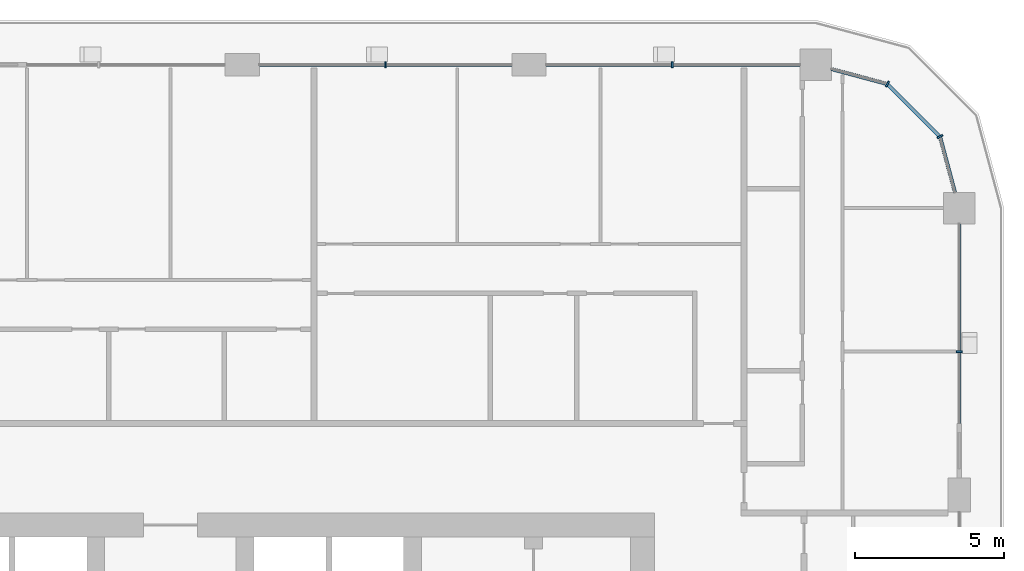
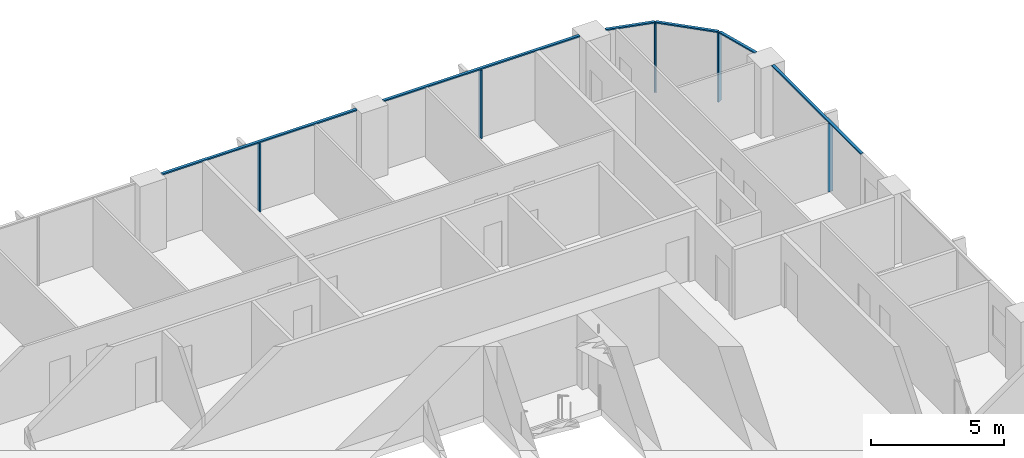
# One storey, part 6 of 22: 11 members, 4 elements without a shape of their own.
"""IFC4 building model written with IfcOpenShell, lengths in metres."""

import ifcopenshell
import ifcopenshell.guid

model = None  # the IFC model being written
_history = None  # IfcOwnerHistory: only IFC2X3 demands one
_inside = {}  # id of a spatial element -> (the spatial element, [elements in it])
_under = {}  # id of a project, library or spatial element -> (it, [spatial elements below it])
_declared = {}  # id of a project -> (the project, [libraries it declares])
_typed = {}  # id of a type object -> (the type object, [elements of that type])
_made_of = {}  # id of a material, layer set ... -> (it, [elements and type objects made of it])


def new_model(schema):
    """Start an empty IFC model of exactly this schema.

    Asked for "IFC4X3", IfcOpenShell would pick the latest addendum, in which some entities
    have other attributes; the version numbers below select the first issue.
    IFC2X3 requires an IfcOwnerHistory on every rooted entity: one is made here for all.
    """
    global model, _history
    if schema == "IFC4X3":
        model = ifcopenshell.file(schema_version=(4, 3, 0, 0))
    else:
        model = ifcopenshell.file(schema=schema)
    _inside.clear()
    _under.clear()
    _declared.clear()
    _typed.clear()
    _made_of.clear()
    _history = None
    if model.schema == "IFC2X3":
        org = make("IfcOrganization", Name="unknown")
        user = make(
            "IfcPersonAndOrganization",
            ThePerson=make("IfcPerson", FamilyName="unknown"),
            TheOrganization=org,
        )
        app = make(
            "IfcApplication",
            ApplicationDeveloper=org,
            Version="unknown",
            ApplicationFullName="unknown",
            ApplicationIdentifier="unknown",
        )
        _history = make(
            "IfcOwnerHistory",
            OwningUser=user,
            OwningApplication=app,
            ChangeAction="ADDED",
            CreationDate=0,
        )
    return model


def make(cls, **values):
    """One entity of the class cls with the attributes given. An attribute that is None is left unset."""
    return model.create_entity(
        cls, **{name: value for name, value in values.items() if value is not None}
    )


def rooted(cls, **values):
    """An entity with a GlobalId (a new one), such as an element, a storey or a relation."""
    return make(cls, GlobalId=ifcopenshell.guid.new(), OwnerHistory=_history, **values)


def si_unit(unit_type, name, prefix=None):
    """IfcSIUnit, for example si_unit("LENGTHUNIT", "METRE", prefix="MILLI")."""
    return make("IfcSIUnit", UnitType=unit_type, Prefix=prefix, Name=name)


def assignment(units):
    """IfcUnitAssignment: the units of a project."""
    return None if units is None else make("IfcUnitAssignment", Units=units)


def point(xyz):
    """IfcCartesianPoint."""
    return None if xyz is None else make("IfcCartesianPoint", Coordinates=xyz)


def direction(xyz):
    """IfcDirection."""
    return None if xyz is None else make("IfcDirection", DirectionRatios=xyz)


def frame(location, z_axis=None, x_axis=None):
    """IfcAxis2Placement3D, a coordinate frame: its origin and axes. An axis left out is left unset."""
    return make(
        "IfcAxis2Placement3D",
        Location=point(location),
        Axis=direction(z_axis),
        RefDirection=direction(x_axis),
    )


def frame_2d(location, x_axis=None):
    """IfcAxis2Placement2D, a coordinate frame in the plane: its origin and x axis."""
    return make(
        "IfcAxis2Placement2D", Location=point(location), RefDirection=direction(x_axis)
    )


def origin():
    """The frame at (0, 0, 0) with its axes left unset."""
    return frame((0.0, 0.0, 0.0))


def origin_2d():
    """The frame at (0, 0) in the plane with its x axis left unset."""
    return frame_2d((0.0, 0.0))


def place(relative_to, where):
    """IfcLocalPlacement: puts the frame where relative to a parent placement (None: the world)."""
    return make(
        "IfcLocalPlacement", PlacementRelTo=relative_to, RelativePlacement=where
    )


def context(
    kind, dimensions, precision=None, world=None, true_north=None, identifier=None
):
    """IfcGeometricRepresentationContext, for example the 3D "Model" context."""
    return make(
        "IfcGeometricRepresentationContext",
        ContextIdentifier=identifier,
        ContextType=kind,
        CoordinateSpaceDimension=dimensions,
        Precision=precision,
        WorldCoordinateSystem=world,
        TrueNorth=true_north,
    )


def subcontext(parent, identifier, kind, view, scale=None):
    """IfcGeometricRepresentationSubContext, for example "Body" below "Model"."""
    return make(
        "IfcGeometricRepresentationSubContext",
        ContextIdentifier=identifier,
        ContextType=kind,
        ParentContext=parent,
        TargetScale=scale,
        TargetView=view,
    )


def project(units=None, contexts=None):
    """IfcProject with its units and contexts."""
    return rooted(
        "IfcProject",
        Name="project",
        RepresentationContexts=contexts,
        UnitsInContext=assignment(units),
    )


def spatial(cls, under=None, at=None, **own):
    """A site, building, storey or space (cls), placed at a placement, below another one or the project."""
    s = rooted(cls, ObjectPlacement=at, **own)
    if under is not None:
        _under.setdefault(under.id(), (under, []))[1].append(s)
    return s


def profile(cls, at=None, kind="AREA", **sizes):
    """A parametric profile (cls). Its sizes go by their IFC names, for example OverallWidth=200.0."""
    return make(cls, ProfileType=kind, Position=at, **sizes)


def rectangle(**sizes):
    """IfcRectangleProfileDef."""
    return profile("IfcRectangleProfileDef", **sizes)


def extrude(swept, where, along, depth):
    """IfcExtrudedAreaSolid: the profile swept, set in the frame where, extruded along a direction by depth."""
    return make(
        "IfcExtrudedAreaSolid",
        SweptArea=swept,
        Position=where,
        ExtrudedDirection=direction(along),
        Depth=depth,
    )


def shape(context_of_items, identifier, shape_type, items):
    """IfcShapeRepresentation: the items that make up one representation, for example the "Body"."""
    return make(
        "IfcShapeRepresentation",
        ContextOfItems=context_of_items,
        RepresentationIdentifier=identifier,
        RepresentationType=shape_type,
        Items=items,
    )


def material(Name=None, Category=None):
    """IfcMaterial."""
    return make("IfcMaterial", Name=Name, Category=Category)


def layer(
    of_material, thickness, ventilated=None, Name=None, Category=None, Priority=None
):
    """IfcMaterialLayer: one layer of a wall or slab, of a material (None: an air gap)."""
    return make(
        "IfcMaterialLayer",
        Material=of_material,
        LayerThickness=thickness,
        IsVentilated=ventilated,
        Name=Name,
        Category=Category,
        Priority=Priority,
    )


def layer_set(layers, Name=None):
    """IfcMaterialLayerSet."""
    return make("IfcMaterialLayerSet", MaterialLayers=layers, LayerSetName=Name)


def material_profile(
    of_material, cross_section, Name=None, Category=None, Priority=None
):
    """IfcMaterialProfile: a cross section and its material."""
    return make(
        "IfcMaterialProfile",
        Name=Name,
        Material=of_material,
        Profile=cross_section,
        Priority=Priority,
        Category=Category,
    )


def profile_set(profiles, Name=None, composite=None):
    """IfcMaterialProfileSet."""
    return make(
        "IfcMaterialProfileSet",
        Name=Name,
        MaterialProfiles=profiles,
        CompositeProfile=composite,
    )


def made_of(thing, what):
    """Note that an element or type object is made of a material, layer set ...; save() writes the relation."""
    if what is not None:
        _made_of.setdefault(what.id(), (what, []))[1].append(thing)
    return thing


def type_object(cls, material=None, **own):
    """A type object (cls), such as IfcWallType, which elements share."""
    return made_of(rooted(cls, **own), material)


def element(
    cls,
    number,
    at=None,
    inside=None,
    cuts=None,
    type_object=None,
    material=None,
    context=None,
    identifier="Body",
    shape_type=None,
    held_by="IfcProductDefinitionShape",
    body=None,
    shapes=None,
    **own,
):
    """One element of the class cls, such as IfcWall. Its Tag is "e" and its number.

    at: its placement. inside: the storey or other place that contains it. cuts: it is an
    opening in that element (IfcRelVoidsElement). A single representation is given by context,
    identifier, shape_type and body (its items); several are given by shapes. held_by: the class
    of the entity that holds the representations. save() writes the other relations.
    """
    e = rooted(cls, Tag="e%d" % number, ObjectPlacement=at, **own)
    if body is not None:
        shapes = [shape(context, identifier, shape_type, body)]
    if shapes is not None:
        e.Representation = make(held_by, Representations=shapes)
    if inside is not None:
        _inside.setdefault(inside.id(), (inside, []))[1].append(e)
    if cuts is not None:
        rooted(
            "IfcRelVoidsElement", RelatingBuildingElement=cuts, RelatedOpeningElement=e
        )
    if type_object is not None:
        _typed.setdefault(type_object.id(), (type_object, []))[1].append(e)
    return made_of(e, material)


def aggregate(whole, parts):
    """IfcRelAggregates: a whole, such as a stair, and the parts it consists of."""
    return rooted("IfcRelAggregates", RelatingObject=whole, RelatedObjects=parts)


def save(model, path):
    """Write the relations noted so far, then the file.

    IfcRelAggregates (storeys below a building ...), IfcRelContainedInSpatialStructure (elements
    in a storey), IfcRelDefinesByType, IfcRelAssociatesMaterial and IfcRelDeclares: one each for
    every whole, place, type object, material and project.
    """
    for whole, parts in _under.values():
        aggregate(whole, parts)
    for where, things in _inside.values():
        rooted(
            "IfcRelContainedInSpatialStructure",
            RelatedElements=things,
            RelatingStructure=where,
        )
    for kind, things in _typed.values():
        rooted("IfcRelDefinesByType", RelatedObjects=things, RelatingType=kind)
    for what, things in _made_of.values():
        rooted("IfcRelAssociatesMaterial", RelatedObjects=things, RelatingMaterial=what)
    for by, libraries in _declared.values():
        rooted("IfcRelDeclares", RelatingContext=by, RelatedDefinitions=libraries)
    model.write(path)


model = new_model("IFC4")

# Units and contexts
model_context = context("Model", 3, precision=1e-05, world=origin(), true_north=direction((0.0, 1.0)))
body_context = subcontext(model_context, "Body", "Model", "MODEL_VIEW")
ifc_project = project(units=[si_unit("LENGTHUNIT", "METRE"), si_unit("AREAUNIT", "SQUARE_METRE"), si_unit("VOLUMEUNIT", "CUBIC_METRE"), si_unit("PLANEANGLEUNIT", "RADIAN"), si_unit("MASSUNIT", "GRAM", prefix="KILO")], contexts=[model_context])

# Site, building, storey
site_placement = place(None, origin())
site = spatial("IfcSite", under=ifc_project, at=site_placement, CompositionType="ELEMENT")
building_placement = place(site_placement, origin())
building = spatial("IfcBuilding", under=site, at=building_placement, Name="Madar Terraces", CompositionType="ELEMENT")
storey_placement = place(building_placement, frame((0.0, 0.0, 136.60009765625)))
storey = spatial("IfcBuildingStorey", under=building, at=storey_placement, Name="L35", CompositionType="ELEMENT", Elevation=136.60009765625)

# Curtain wall, member
ifc_material_1 = material(Name="Glass, ceramic frit dark grey, with black aluminium frame", Category="aluminium")
ifc_layer = layer(ifc_material_1, 0.199951171875)
ifc_layer_set = layer_set([ifc_layer], Name="Facade curtain wall, fritted glass")
curtain_wall_type = type_object("IfcCurtainWallType", Name="Facade curtain wall, fritted glass", PredefinedType="NOTDEFINED", material=ifc_layer_set)
curtain_wall_1_placement = place(storey_placement, origin())
curtain_wall_1 = element("IfcCurtainWall", 1, at=curtain_wall_1_placement, inside=storey, type_object=curtain_wall_type, Name="Outer skin curtain wall east bay 4", PredefinedType="NOTDEFINED")
ifc_material_2 = material(Name="Aluminium, black anodised", Category="aluminium")
ifc_material_profile_1 = material_profile(ifc_material_2, rectangle(XDim=0.199951171875, YDim=0.06005859375, at=origin_2d()), Name="Facade mullion 60x200")
ifc_profile_set_1 = profile_set([ifc_material_profile_1], Name="Aluminium, black anodised")
member_type_1 = type_object("IfcMemberType", Name="Facade mullion 60x200", PredefinedType="MULLION", material=ifc_profile_set_1)
member_1_placement = place(storey_placement, frame((57.60009765625, 43.199951171875, 0.0), z_axis=(0.0, 0.0, 1.0), x_axis=(-1.0, 0.0, 0.0)))
member_1 = element("IfcMember", 2, at=member_1_placement, type_object=member_type_1, Name="Mullion 1", PredefinedType="MULLION", context=body_context, shape_type="SweptSolid", body=[
    extrude(rectangle(XDim=0.199951171875, YDim=0.06005859375, at=origin_2d()), origin(), (0.0, 0.0, 1.0), 3.139892578125),
])

curtain_wall_2_placement = place(storey_placement, origin())
curtain_wall_2 = element("IfcCurtainWall", 3, at=curtain_wall_2_placement, inside=storey, type_object=curtain_wall_type, Name="Outer skin curtain wall north bay 1", PredefinedType="NOTDEFINED")
member_2_placement = place(storey_placement, frame((48.0, 52.800048828125, 0.0), z_axis=(0.0, 0.0, 1.0), x_axis=(0.0, -1.0, 0.0)))
member_2 = element("IfcMember", 4, at=member_2_placement, type_object=member_type_1, Name="Mullion 1", PredefinedType="MULLION", context=body_context, shape_type="SweptSolid", body=[
    extrude(rectangle(XDim=0.199951171875, YDim=0.06005859375, at=origin_2d()), origin(), (0.0, 0.0, 1.0), 3.139892578125),
])

curtain_wall_3_placement = place(storey_placement, origin())
curtain_wall_3 = element("IfcCurtainWall", 5, at=curtain_wall_3_placement, inside=storey, type_object=curtain_wall_type, Name="Outer skin curtain wall north bay 2", PredefinedType="NOTDEFINED")
member_3_placement = place(storey_placement, frame((38.39990234375, 52.800048828125, 0.0), z_axis=(0.0, 0.0, 1.0), x_axis=(0.0, -1.0, 0.0)))
member_3 = element("IfcMember", 6, at=member_3_placement, type_object=member_type_1, Name="Mullion 1", PredefinedType="MULLION", context=body_context, shape_type="SweptSolid", body=[
    extrude(rectangle(XDim=0.199951171875, YDim=0.06005859375, at=origin_2d()), origin(), (0.0, 0.0, 1.0), 3.139892578125),
])

# Curtain wall, members
curtain_wall_4_placement = place(storey_placement, origin())
curtain_wall_4 = element("IfcCurtainWall", 7, at=curtain_wall_4_placement, inside=storey, type_object=curtain_wall_type, Name="Outer skin curtain wall north-east corner", PredefinedType="NOTDEFINED")
member_4_placement = place(storey_placement, frame((56.95703125, 50.39990234375, 0.0), z_axis=(0.0, 0.0, 1.0), x_axis=(-0.866025409797, -0.499999989586, 0.0)))
member_4 = element("IfcMember", 8, at=member_4_placement, type_object=member_type_1, Name="Mullion 1", PredefinedType="MULLION", context=body_context, shape_type="SweptSolid", body=[
    extrude(rectangle(XDim=0.199951171875, YDim=0.06005859375, at=origin_2d()), origin(), (0.0, 0.0, 1.0), 3.139892578125),
])
member_5_placement = place(storey_placement, frame((55.199951171875, 52.156982421875, 0.0), z_axis=(0.0, 0.0, 1.0), x_axis=(-0.499999989586, -0.866025409797, 0.0)))
member_5 = element("IfcMember", 9, at=member_5_placement, type_object=member_type_1, Name="Mullion 2", PredefinedType="MULLION", context=body_context, shape_type="SweptSolid", body=[
    extrude(rectangle(XDim=0.199951171875, YDim=0.06005859375, at=origin_2d()), origin(), (0.0, 0.0, 1.0), 3.139892578125),
])

# Member
ifc_material_3 = material(Name="Aluminium, black anodised", Category="aluminium")
ifc_material_profile_2 = material_profile(ifc_material_3, rectangle(XDim=0.1201171875, YDim=0.06005859375, at=origin_2d()), Name="Facade transom 60x120")
ifc_profile_set_2 = profile_set([ifc_material_profile_2], Name="Aluminium, black anodised")
member_type_2 = type_object("IfcMemberType", Name="Facade transom 60x120", PredefinedType="USERDEFINED", material=ifc_profile_set_2)
member_6_placement = place(storey_placement, frame((57.60009765625, 40.800048828125, 3.169921875), z_axis=(0.0, 1.0, 0.0), x_axis=(-1.0, 0.0, 0.0)))
member_6 = element("IfcMember", 10, at=member_6_placement, type_object=member_type_2, Name="Transom 1", ObjectType="TRANSOM", PredefinedType="USERDEFINED", context=body_context, shape_type="SweptSolid", body=[
    extrude(rectangle(XDim=0.1201171875, YDim=0.06005859375, at=origin_2d()), origin(), (0.0, 0.0, 1.0), 6.675048828125),
])

aggregate(curtain_wall_1, [member_1, member_6])

member_7_placement = place(storey_placement, frame((52.27490234375, 52.800048828125, 3.169921875), z_axis=(-1.0, 0.0, 0.0), x_axis=(0.0, -1.0, 0.0)))
member_7 = element("IfcMember", 11, at=member_7_placement, type_object=member_type_2, Name="Transom 1", ObjectType="TRANSOM", PredefinedType="USERDEFINED", context=body_context, shape_type="SweptSolid", body=[
    extrude(rectangle(XDim=0.1201171875, YDim=0.06005859375, at=origin_2d()), origin(), (0.0, 0.0, 1.0), 8.5),
])

aggregate(curtain_wall_2, [member_2, member_7])

member_8_placement = place(storey_placement, frame((42.625, 52.800048828125, 3.169921875), z_axis=(-1.0, 0.0, 0.0), x_axis=(0.0, -1.0, 0.0)))
member_8 = element("IfcMember", 12, at=member_8_placement, type_object=member_type_2, Name="Transom 1", ObjectType="TRANSOM", PredefinedType="USERDEFINED", context=body_context, shape_type="SweptSolid", body=[
    extrude(rectangle(XDim=0.1201171875, YDim=0.06005859375, at=origin_2d()), origin(), (0.0, 0.0, 1.0), 8.449951171875),
])

aggregate(curtain_wall_3, [member_3, member_8])

member_9_placement = place(storey_placement, frame((57.459228515625, 48.52490234375, 3.169921875), z_axis=(-0.25879142023, 0.965933227928, 0.0), x_axis=(-0.965933227928, -0.25879142023, 0.0)))
member_9 = element("IfcMember", 13, at=member_9_placement, type_object=member_type_2, Name="Transom 1", ObjectType="TRANSOM", PredefinedType="USERDEFINED", context=body_context, shape_type="SweptSolid", body=[
    extrude(rectangle(XDim=0.1201171875, YDim=0.06005859375, at=origin_2d()), origin(), (0.0, 0.0, 1.0), 1.911376953125),
])

member_10_placement = place(storey_placement, frame((56.935791015625, 50.421142578125, 3.169921875), z_axis=(-0.707106781187, 0.707106781187, 0.0), x_axis=(-0.707106781187, -0.707106781187, 0.0)))
member_10 = element("IfcMember", 14, at=member_10_placement, type_object=member_type_2, Name="Transom 2", ObjectType="TRANSOM", PredefinedType="USERDEFINED", context=body_context, shape_type="SweptSolid", body=[
    extrude(rectangle(XDim=0.1201171875, YDim=0.06005859375, at=origin_2d()), origin(), (0.0, 0.0, 1.0), 2.4248046875),
])

member_11_placement = place(storey_placement, frame((55.171142578125, 52.164794921875, 3.169921875), z_axis=(-0.965933227928, 0.25879142023, 0.0), x_axis=(-0.25879142023, -0.965933227928, 0.0)))
member_11 = element("IfcMember", 15, at=member_11_placement, type_object=member_type_2, Name="Transom 3", ObjectType="TRANSOM", PredefinedType="USERDEFINED", context=body_context, shape_type="SweptSolid", body=[
    extrude(rectangle(XDim=0.1201171875, YDim=0.06005859375, at=origin_2d()), origin(), (0.0, 0.0, 1.0), 1.911376953125),
])

aggregate(curtain_wall_4, [member_4, member_9, member_5, member_10, member_11])

save(model, "model.ifc")
